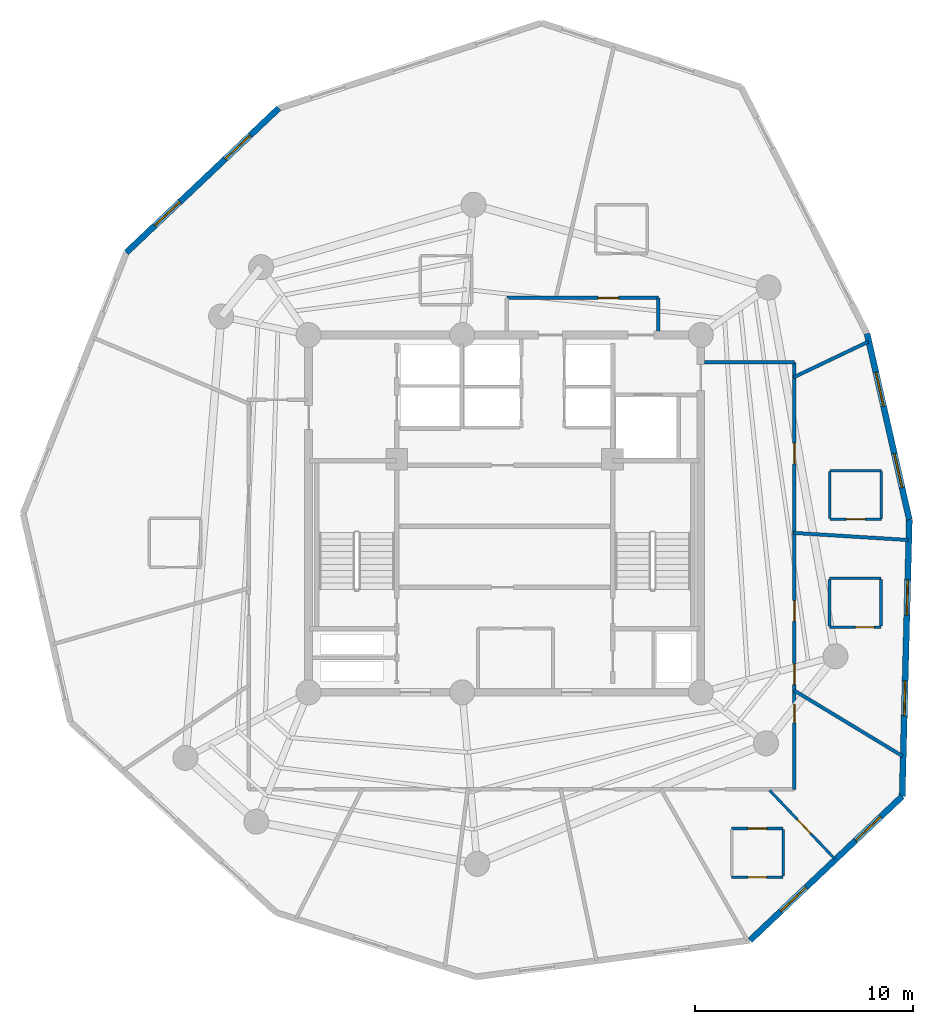
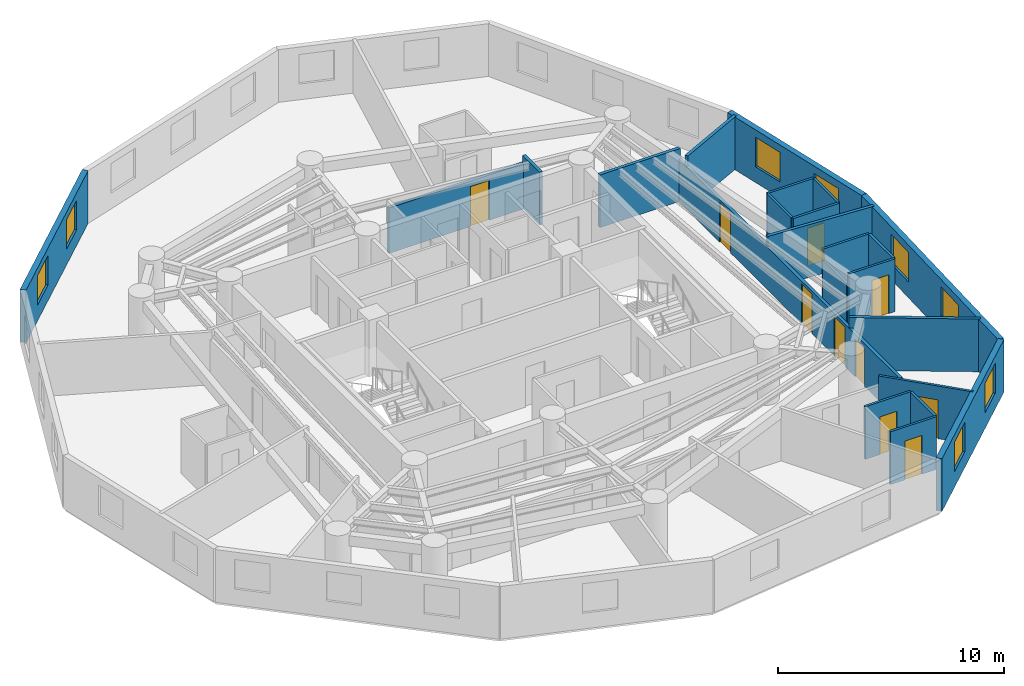
# One storey, part 5 of 7: 23 walls, 10 doors, 8 windows, 18 openings.
"""IFC4 building model written with IfcOpenShell, lengths in metres."""

from ifc_helpers import new_model, si_unit, direction, frame, frame_2d, origin, origin_with_axes, place, context, subcontext, project, spatial, rectangle, extrude, source, transform, mapped, material, layer, layer_set, type_object, element, fill, save


model = new_model("IFC4")

# Units and contexts
model_context = context("Model", 3, precision=1e-05, world=origin(), true_north=direction((0.0, 1.0)))
body_context = subcontext(model_context, "Body", "Model", "MODEL_VIEW")
ifc_project = project(units=[si_unit("LENGTHUNIT", "METRE"), si_unit("AREAUNIT", "SQUARE_METRE"), si_unit("VOLUMEUNIT", "CUBIC_METRE"), si_unit("PLANEANGLEUNIT", "RADIAN"), si_unit("MASSUNIT", "GRAM", prefix="KILO")], contexts=[model_context])

# Site, building, storey
site_placement = place(None, origin())
site = spatial("IfcSite", under=ifc_project, at=site_placement, CompositionType="ELEMENT")
building_placement = place(site_placement, origin())
building = spatial("IfcBuilding", under=site, at=building_placement, Name="Karkom Vertical University and Central Library", CompositionType="ELEMENT")
storey_placement = place(building_placement, frame((0.0, 0.0, 219.949951171875)))
storey = spatial("IfcBuildingStorey", under=building, at=storey_placement, Name="L64", CompositionType="ELEMENT", Elevation=219.949951171875)

# Wall, openings, windows
ifc_material_1 = material(Name="Brick-faced precast concrete C45/55", Category="masonry")
ifc_layer_1 = layer(ifc_material_1, 0.280029296875)
ifc_layer_set_1 = layer_set([ifc_layer_1], Name="Brick-faced precast concrete C45/55")
wall_type_1 = type_object("IfcWallType", Name="ENV-WL-BRK-280", PredefinedType="SOLIDWALL", material=ifc_layer_set_1)
wall_1_placement = place(storey_placement, frame((39.7578125, 6.91796875, 0.0), z_axis=(0.0, 0.0, 1.0), x_axis=(0.726306750321, 0.687370718345, 0.0)))
wall_1 = element("IfcWall", 1, at=wall_1_placement, inside=storey, type_object=wall_type_1, Name="Level 64 Brick-Faced Precast Facade Wall 05", PredefinedType="SOLIDWALL", context=body_context, shape_type="SweptSolid", body=[
    extrude(rectangle(XDim=9.61865234375, YDim=0.280029296875, at=frame_2d((4.809326171875, 0.0))), origin(), (0.0, 0.0, 1.0), 2.85009765625),
])
opening_1_placement = place(wall_1_placement, frame((1.939208984375, 0.0, 0.85009765625)))
opening_1 = element("IfcOpeningElement", 2, at=opening_1_placement, cuts=wall_1, Name="Opening WN-10", PredefinedType="OPENING", context=body_context, shape_type="SweptSolid", body=[
    extrude(rectangle(XDim=1.60009765625, YDim=1.60009765625, at=frame_2d((0.800048828125, 0.800048828125))), frame((0.0, 0.14990234375, 0.0), z_axis=(0.0, -1.0, 0.0), x_axis=(1.0, 0.0, 0.0)), (0.0, 0.0, 1.0), 0.300048828125),
])
opening_2_placement = place(wall_1_placement, frame((6.668701171875, 0.0, 0.85009765625)))
opening_2 = element("IfcOpeningElement", 3, at=opening_2_placement, cuts=wall_1, Name="Opening WN-10", PredefinedType="OPENING", context=body_context, shape_type="SweptSolid", body=[
    extrude(rectangle(XDim=1.60009765625, YDim=1.60009765625, at=frame_2d((0.800048828125, 0.800048828125))), frame((0.0, 0.14990234375, 0.0), z_axis=(0.0, -1.0, 0.0), x_axis=(1.0, 0.0, 0.0)), (0.0, 0.0, 1.0), 0.300048828125),
])
ifc_material_2 = material(Name="Aluminium thermal-break frame with solar-control IGU", Category="aluminium")
window_type = type_object("IfcWindowType", Name="ENV-WIN-WN-10", PartitioningType="SINGLE_PANEL", PredefinedType="WINDOW", material=ifc_material_2)
shared_shape_1 = source(origin_with_axes(), body_context, "Body", "SweptSolid", [
    extrude(rectangle(XDim=1.60009765625, YDim=1.60009765625, at=frame_2d((0.800048828125, 0.800048828125))), frame((0.0, 0.030029296875, 0.0), z_axis=(0.0, -1.0, 0.0), x_axis=(1.0, 0.0, 0.0)), (0.0, 0.0, 1.0), 0.06005859375),
])
window_1_placement = place(opening_1_placement, origin())
window_1 = element("IfcWindow", 4, at=window_1_placement, inside=storey, type_object=window_type, Name="Level 64 Punched Window 5.1", OverallHeight=1.60009765625, OverallWidth=1.60009765625, PartitioningType="SINGLE_PANEL", PredefinedType="WINDOW", context=body_context, shape_type="MappedRepresentation", body=[
    mapped(shared_shape_1, transform((0.0, 0.0, 0.0), scale=1.0)),
])
fill(opening_1, window_1)
window_2_placement = place(opening_2_placement, origin())
window_2 = element("IfcWindow", 5, at=window_2_placement, inside=storey, type_object=window_type, Name="Level 64 Punched Window 5.2", OverallHeight=1.60009765625, OverallWidth=1.60009765625, PartitioningType="SINGLE_PANEL", PredefinedType="WINDOW", context=body_context, shape_type="MappedRepresentation", body=[
    mapped(shared_shape_1, transform((0.0, 0.0, 0.0), scale=1.0)),
])
fill(opening_2, window_2)

wall_2_placement = place(storey_placement, frame((46.743896484375, 13.529541015625, 0.0), z_axis=(0.0, 0.0, 1.0), x_axis=(0.025686260169, 0.999670053587, 0.0)))
wall_2 = element("IfcWall", 6, at=wall_2_placement, inside=storey, type_object=wall_type_1, Name="Level 64 Brick-Faced Precast Facade Wall 06", PredefinedType="SOLIDWALL", context=body_context, shape_type="SweptSolid", body=[
    extrude(rectangle(XDim=12.707763671875, YDim=0.280029296875, at=frame_2d((6.35400390625, 0.0))), origin(), (0.0, 0.0, 1.0), 2.85009765625),
])
opening_3_placement = place(wall_2_placement, frame((3.700439453125, 0.0, 0.85009765625)))
opening_3 = element("IfcOpeningElement", 7, at=opening_3_placement, cuts=wall_2, Name="Opening WN-10", PredefinedType="OPENING", context=body_context, shape_type="SweptSolid", body=[
    extrude(rectangle(XDim=1.60009765625, YDim=1.60009765625, at=frame_2d((0.800048828125, 0.800048828125))), frame((0.0, 0.14990234375, 0.0), z_axis=(0.0, -1.0, 0.0), x_axis=(1.0, 0.0, 0.0)), (0.0, 0.0, 1.0), 0.300048828125),
])
opening_4_placement = place(wall_2_placement, frame((8.33203125, 0.0, 0.85009765625)))
opening_4 = element("IfcOpeningElement", 8, at=opening_4_placement, cuts=wall_2, Name="Opening WN-10", PredefinedType="OPENING", context=body_context, shape_type="SweptSolid", body=[
    extrude(rectangle(XDim=1.60009765625, YDim=1.60009765625, at=frame_2d((0.800048828125, 0.800048828125))), frame((0.0, 0.14990234375, 0.0), z_axis=(0.0, -1.0, 0.0), x_axis=(1.0, 0.0, 0.0)), (0.0, 0.0, 1.0), 0.300048828125),
])
window_3_placement = place(opening_3_placement, origin())
window_3 = element("IfcWindow", 9, at=window_3_placement, inside=storey, type_object=window_type, Name="Level 64 Punched Window 6.1", OverallHeight=1.60009765625, OverallWidth=1.60009765625, PartitioningType="SINGLE_PANEL", PredefinedType="WINDOW", context=body_context, shape_type="MappedRepresentation", body=[
    mapped(shared_shape_1, transform((0.0, 0.0, 0.0), scale=1.0)),
])
fill(opening_3, window_3)
window_4_placement = place(opening_4_placement, origin())
window_4 = element("IfcWindow", 10, at=window_4_placement, inside=storey, type_object=window_type, Name="Level 64 Punched Window 6.2", OverallHeight=1.60009765625, OverallWidth=1.60009765625, PartitioningType="SINGLE_PANEL", PredefinedType="WINDOW", context=body_context, shape_type="MappedRepresentation", body=[
    mapped(shared_shape_1, transform((0.0, 0.0, 0.0), scale=1.0)),
])
fill(opening_4, window_4)

wall_3_placement = place(storey_placement, frame((47.0703125, 26.233154296875, 0.0), z_axis=(0.0, 0.0, 1.0), x_axis=(-0.221540292546, 0.975151218416, 0.0)))
wall_3 = element("IfcWall", 11, at=wall_3_placement, inside=storey, type_object=wall_type_1, Name="Level 64 Brick-Faced Precast Facade Wall 07", PredefinedType="SOLIDWALL", context=body_context, shape_type="SweptSolid", body=[
    extrude(rectangle(XDim=8.748779296875, YDim=0.280029296875, at=frame_2d((4.37451171875, 0.0))), origin(), (0.0, 0.0, 1.0), 2.85009765625),
])
opening_5_placement = place(wall_3_placement, frame((1.49658203125, 0.0, 0.85009765625)))
opening_5 = element("IfcOpeningElement", 12, at=opening_5_placement, cuts=wall_3, Name="Opening WN-10", PredefinedType="OPENING", context=body_context, shape_type="SweptSolid", body=[
    extrude(rectangle(XDim=1.60009765625, YDim=1.60009765625, at=frame_2d((0.800048828125, 0.800048828125))), frame((0.0, 0.14990234375, 0.0), z_axis=(0.0, -1.0, 0.0), x_axis=(1.0, 0.0, 0.0)), (0.0, 0.0, 1.0), 0.300048828125),
])
opening_6_placement = place(wall_3_placement, frame((5.330078125, 0.0, 0.85009765625)))
opening_6 = element("IfcOpeningElement", 13, at=opening_6_placement, cuts=wall_3, Name="Opening WN-10", PredefinedType="OPENING", context=body_context, shape_type="SweptSolid", body=[
    extrude(rectangle(XDim=1.60009765625, YDim=1.60009765625, at=frame_2d((0.800048828125, 0.800048828125))), frame((0.0, 0.14990234375, 0.0), z_axis=(0.0, -1.0, 0.0), x_axis=(1.0, 0.0, 0.0)), (0.0, 0.0, 1.0), 0.300048828125),
])
window_5_placement = place(opening_5_placement, origin())
window_5 = element("IfcWindow", 14, at=window_5_placement, inside=storey, type_object=window_type, Name="Level 64 Punched Window 7.1", OverallHeight=1.60009765625, OverallWidth=1.60009765625, PartitioningType="SINGLE_PANEL", PredefinedType="WINDOW", context=body_context, shape_type="MappedRepresentation", body=[
    mapped(shared_shape_1, transform((0.0, 0.0, 0.0), scale=1.0)),
])
fill(opening_5, window_5)
window_6_placement = place(opening_6_placement, origin())
window_6 = element("IfcWindow", 15, at=window_6_placement, inside=storey, type_object=window_type, Name="Level 64 Punched Window 7.2", OverallHeight=1.60009765625, OverallWidth=1.60009765625, PartitioningType="SINGLE_PANEL", PredefinedType="WINDOW", context=body_context, shape_type="MappedRepresentation", body=[
    mapped(shared_shape_1, transform((0.0, 0.0, 0.0), scale=1.0)),
])
fill(opening_6, window_6)

wall_4_placement = place(storey_placement, frame((18.136962890625, 45.110107421875, 0.0), z_axis=(0.0, 0.0, 1.0), x_axis=(-0.726302657203, -0.687375043292, 0.0)))
wall_4 = element("IfcWall", 16, at=wall_4_placement, inside=storey, type_object=wall_type_1, Name="Level 64 Brick-Faced Precast Facade Wall 11", PredefinedType="SOLIDWALL", context=body_context, shape_type="SweptSolid", body=[
    extrude(rectangle(XDim=9.6396484375, YDim=0.280029296875, at=frame_2d((4.81982421875, 0.0))), origin(), (0.0, 0.0, 1.0), 2.85009765625),
])
opening_7_placement = place(wall_4_placement, frame((1.7998046875, 0.0, 0.85009765625)))
opening_7 = element("IfcOpeningElement", 17, at=opening_7_placement, cuts=wall_4, Name="Opening WN-10", PredefinedType="OPENING", context=body_context, shape_type="SweptSolid", body=[
    extrude(rectangle(XDim=1.60009765625, YDim=1.60009765625, at=frame_2d((0.800048828125, 0.800048828125))), frame((0.0, 0.14990234375, 0.0), z_axis=(0.0, -1.0, 0.0), x_axis=(1.0, 0.0, 0.0)), (0.0, 0.0, 1.0), 0.300048828125),
])
opening_8_placement = place(wall_4_placement, frame((6.23974609375, 0.0, 0.85009765625)))
opening_8 = element("IfcOpeningElement", 18, at=opening_8_placement, cuts=wall_4, Name="Opening WN-10", PredefinedType="OPENING", context=body_context, shape_type="SweptSolid", body=[
    extrude(rectangle(XDim=1.60009765625, YDim=1.60009765625, at=frame_2d((0.800048828125, 0.800048828125))), frame((0.0, 0.14990234375, 0.0), z_axis=(0.0, -1.0, 0.0), x_axis=(1.0, 0.0, 0.0)), (0.0, 0.0, 1.0), 0.300048828125),
])
window_7_placement = place(opening_7_placement, origin())
window_7 = element("IfcWindow", 19, at=window_7_placement, inside=storey, type_object=window_type, Name="Level 64 Punched Window 11.1", OverallHeight=1.60009765625, OverallWidth=1.60009765625, PartitioningType="SINGLE_PANEL", PredefinedType="WINDOW", context=body_context, shape_type="MappedRepresentation", body=[
    mapped(shared_shape_1, transform((0.0, 0.0, 0.0), scale=1.0)),
])
fill(opening_7, window_7)
window_8_placement = place(opening_8_placement, origin())
window_8 = element("IfcWindow", 20, at=window_8_placement, inside=storey, type_object=window_type, Name="Level 64 Punched Window 11.2", OverallHeight=1.60009765625, OverallWidth=1.60009765625, PartitioningType="SINGLE_PANEL", PredefinedType="WINDOW", context=body_context, shape_type="MappedRepresentation", body=[
    mapped(shared_shape_1, transform((0.0, 0.0, 0.0), scale=1.0)),
])
fill(opening_8, window_8)

# Wall, openings, doors
ifc_material_3 = material(Name="Insulated metal-stud drywall 160mm", Category="gypsum")
ifc_layer_2 = layer(ifc_material_3, 0.159912109375)
ifc_layer_set_2 = layer_set([ifc_layer_2], Name="Insulated metal-stud drywall 160mm")
wall_type_2 = type_object("IfcWallType", Name="INT-WL-COR-160", PredefinedType="PARTITIONING", material=ifc_layer_set_2)
wall_5_placement = place(storey_placement, frame((41.800048828125, 33.449951171875, 0.0), z_axis=(0.0, 0.0, 1.0), x_axis=(0.0, -1.0, 0.0)))
wall_5 = element("IfcWall", 21, at=wall_5_placement, inside=storey, type_object=wall_type_2, Name="Level 64 Interior Partition Wall L64-CORW-CW-005", PredefinedType="PARTITIONING", context=body_context, shape_type="SweptSolid", body=[
    extrude(rectangle(XDim=19.599853515625, YDim=0.159912109375, at=frame_2d((9.7998046875, 0.0))), origin(), (0.0, 0.0, 1.0), 2.300048828125),
])
opening_9_placement = place(wall_5_placement, frame((13.8349609375, 0.0, 0.0)))
opening_9 = element("IfcOpeningElement", 22, at=opening_9_placement, cuts=wall_5, Name="Opening FD-RM2", PredefinedType="OPENING", context=body_context, shape_type="SweptSolid", body=[
    extrude(rectangle(XDim=0.9599609375, YDim=2.14990234375, at=frame_2d((0.47998046875, 1.074951171875))), frame((0.0, 0.08984375, 0.0), z_axis=(0.0, -1.0, 0.0), x_axis=(1.0, 0.0, 0.0)), (0.0, 0.0, 1.0), 0.179931640625),
])
opening_10_placement = place(wall_5_placement, frame((10.93408203125, 0.0, 0.0)))
opening_10 = element("IfcOpeningElement", 23, at=opening_10_placement, cuts=wall_5, Name="Opening FD-RM2", PredefinedType="OPENING", context=body_context, shape_type="SweptSolid", body=[
    extrude(rectangle(XDim=0.9599609375, YDim=2.14990234375, at=frame_2d((0.47998046875, 1.074951171875))), frame((0.0, 0.08984375, 0.0), z_axis=(0.0, -1.0, 0.0), x_axis=(1.0, 0.0, 0.0)), (0.0, 0.0, 1.0), 0.179931640625),
])
opening_11_placement = place(wall_5_placement, frame((3.701416015625, 0.0, 0.0)))
opening_11 = element("IfcOpeningElement", 24, at=opening_11_placement, cuts=wall_5, Name="Opening FD-RM2", PredefinedType="OPENING", context=body_context, shape_type="SweptSolid", body=[
    extrude(rectangle(XDim=0.9599609375, YDim=2.14990234375, at=frame_2d((0.47998046875, 1.074951171875))), frame((0.0, 0.08984375, 0.0), z_axis=(0.0, -1.0, 0.0), x_axis=(1.0, 0.0, 0.0)), (0.0, 0.0, 1.0), 0.179931640625),
])
opening_12_placement = place(wall_5_placement, frame((15.685302734375, 0.0, 0.0)))
opening_12 = element("IfcOpeningElement", 25, at=opening_12_placement, cuts=wall_5, Name="Opening FD-BTH2", PredefinedType="OPENING", context=body_context, shape_type="SweptSolid", body=[
    extrude(rectangle(XDim=0.860107421875, YDim=2.0400390625, at=frame_2d((0.43017578125, 1.02001953125))), frame((0.0, 0.08984375, 0.0), z_axis=(0.0, -1.0, 0.0), x_axis=(1.0, 0.0, 0.0)), (0.0, 0.0, 1.0), 0.179931640625),
])
ifc_material_4 = material(Name="Fire-rated oak veneer door", Category="wood")
door_type_1 = type_object("IfcDoorType", Name="INT-DR-FRM2", OperationType="NOTDEFINED", PredefinedType="DOOR", material=ifc_material_4)
shared_shape_2 = source(origin_with_axes(), body_context, "Body", "SweptSolid", [
    extrude(rectangle(XDim=0.9599609375, YDim=2.14990234375, at=frame_2d((0.47998046875, 1.074951171875))), frame((0.0, 0.02490234375, 0.0), z_axis=(0.0, -1.0, 0.0), x_axis=(1.0, 0.0, 0.0)), (0.0, 0.0, 1.0), 0.050048828125),
])
door_1_placement = place(opening_9_placement, origin())
door_1 = element("IfcDoor", 26, at=door_1_placement, inside=storey, type_object=door_type_1, Name="Level 64 Room Entry Door 410", OperationType="SINGLE_SWING_RIGHT", OverallHeight=2.14990234375, OverallWidth=0.9599609375, PredefinedType="DOOR", context=body_context, shape_type="MappedRepresentation", body=[
    mapped(shared_shape_2, transform((0.0, 0.0, 0.0), scale=1.0)),
])
fill(opening_9, door_1)
door_2_placement = place(opening_10_placement, origin())
door_2 = element("IfcDoor", 27, at=door_2_placement, inside=storey, type_object=door_type_1, Name="Level 64 Room Entry Door 412", OperationType="SINGLE_SWING_RIGHT", OverallHeight=2.14990234375, OverallWidth=0.9599609375, PredefinedType="DOOR", context=body_context, shape_type="MappedRepresentation", body=[
    mapped(shared_shape_2, transform((0.0, 0.0, 0.0), scale=1.0)),
])
fill(opening_10, door_2)
door_3_placement = place(opening_11_placement, origin())
door_3 = element("IfcDoor", 28, at=door_3_placement, inside=storey, type_object=door_type_1, Name="Level 64 Room Entry Door 414", OperationType="SINGLE_SWING_RIGHT", OverallHeight=2.14990234375, OverallWidth=0.9599609375, PredefinedType="DOOR", context=body_context, shape_type="MappedRepresentation", body=[
    mapped(shared_shape_2, transform((0.0, 0.0, 0.0), scale=1.0)),
])
fill(opening_11, door_3)
ifc_material_5 = material(Name="Fire-rated moisture-resistant oak door", Category="wood")
door_type_2 = type_object("IfcDoorType", Name="INT-DR-FBTH2", OperationType="NOTDEFINED", PredefinedType="DOOR", material=ifc_material_5)
shared_shape_3 = source(origin_with_axes(), body_context, "Body", "SweptSolid", [
    extrude(rectangle(XDim=0.860107421875, YDim=2.0400390625, at=frame_2d((0.43017578125, 1.02001953125))), frame((0.0, 0.02490234375, 0.0), z_axis=(0.0, -1.0, 0.0), x_axis=(1.0, 0.0, 0.0)), (0.0, 0.0, 1.0), 0.050048828125),
])
door_4_placement = place(opening_12_placement, origin())
door_4 = element("IfcDoor", 29, at=door_4_placement, inside=storey, type_object=door_type_2, Name="Level 64 Flat L64-06 One-Bedroom Flat Kitchen Entry Door", OperationType="SINGLE_SWING_LEFT", OverallHeight=2.0400390625, OverallWidth=0.860107421875, PredefinedType="DOOR", context=body_context, shape_type="MappedRepresentation", body=[
    mapped(shared_shape_3, transform((0.0, 0.0, 0.0), scale=1.0)),
])
fill(opening_12, door_4)

# Wall, opening, door
wall_6_placement = place(storey_placement, frame((28.60009765625, 36.39990234375, 0.0), z_axis=(0.0, 0.0, 1.0), x_axis=(1.0, 0.0, 0.0)))
wall_6 = element("IfcWall", 30, at=wall_6_placement, inside=storey, type_object=wall_type_2, Name="Level 64 Interior Partition Wall L64-CORW-CW-007", PredefinedType="PARTITIONING", context=body_context, shape_type="SweptSolid", body=[
    extrude(rectangle(XDim=6.949951171875, YDim=0.159912109375, at=frame_2d((3.47509765625, 0.0))), origin(), (0.0, 0.0, 1.0), 2.449951171875),
])
opening_13_placement = place(wall_6_placement, frame((4.1728515625, 0.0, 0.0)))
opening_13 = element("IfcOpeningElement", 31, at=opening_13_placement, cuts=wall_6, Name="Opening FD-RM2", PredefinedType="OPENING", context=body_context, shape_type="SweptSolid", body=[
    extrude(rectangle(XDim=0.9599609375, YDim=2.14990234375, at=frame_2d((0.47998046875, 1.074951171875))), frame((0.0, 0.08984375, 0.0), z_axis=(0.0, -1.0, 0.0), x_axis=(1.0, 0.0, 0.0)), (0.0, 0.0, 1.0), 0.179931640625),
])
door_5_placement = place(opening_13_placement, origin())
door_5 = element("IfcDoor", 32, at=door_5_placement, inside=storey, type_object=door_type_1, Name="Level 64 Room Entry Door 416", OperationType="SINGLE_SWING_RIGHT", OverallHeight=2.14990234375, OverallWidth=0.9599609375, PredefinedType="DOOR", context=body_context, shape_type="MappedRepresentation", body=[
    mapped(shared_shape_2, transform((0.0, 0.0, 0.0), scale=1.0)),
])
fill(opening_13, door_5)

# Walls
wall_7_placement = place(storey_placement, frame((41.7744140625, 18.39404296875, 0.0), z_axis=(0.0, 0.0, 1.0), x_axis=(0.855456106039, -0.517875323453, 0.0)))
element("IfcWall", 33, at=wall_7_placement, inside=storey, type_object=wall_type_2, Name="Level 64 Interior Partition Wall L64-PW-007", PredefinedType="PARTITIONING", context=body_context, shape_type="SweptSolid", body=[
    extrude(rectangle(XDim=5.825439453125, YDim=0.159912109375, at=frame_2d((2.91259765625, 0.0))), origin(), (0.0, 0.0, 1.0), 2.85009765625),
])
wall_8_placement = place(storey_placement, frame((41.755126953125, 25.618896484375, 0.0), z_axis=(0.0, 0.0, 1.0), x_axis=(0.998090381623, -0.061770463097, 0.0)))
element("IfcWall", 34, at=wall_8_placement, inside=storey, type_object=wall_type_2, Name="Level 64 Interior Partition Wall L64-PW-008", PredefinedType="PARTITIONING", context=body_context, shape_type="SweptSolid", body=[
    extrude(rectangle(XDim=5.2763671875, YDim=0.159912109375, at=frame_2d((2.63818359375, 0.0))), origin(), (0.0, 0.0, 1.0), 2.85009765625),
])
wall_9_placement = place(storey_placement, frame((37.681884765625, 33.449951171875, 0.0), z_axis=(0.0, 0.0, 1.0), x_axis=(1.0, 0.0, 0.0)))
element("IfcWall", 35, at=wall_9_placement, inside=storey, type_object=wall_type_2, Name="Level 64 Interior Partition Wall L64-CORW-CW-004", PredefinedType="PARTITIONING", context=body_context, shape_type="SweptSolid", body=[
    extrude(rectangle(XDim=4.1181640625, YDim=0.159912109375, at=frame_2d((2.05908203125, 0.0))), origin(), (0.0, 0.0, 1.0), 2.85009765625),
])
wall_10_placement = place(storey_placement, frame((41.759521484375, 32.7578125, 0.0), z_axis=(0.0, 0.0, 1.0), x_axis=(0.902574106557, 0.430534530755, 0.0)))
element("IfcWall", 36, at=wall_10_placement, inside=storey, type_object=wall_type_2, Name="Level 64 Interior Partition Wall L64-PW-009", PredefinedType="PARTITIONING", context=body_context, shape_type="SweptSolid", body=[
    extrude(rectangle(XDim=3.7998046875, YDim=0.159912109375, at=frame_2d((1.89990234375, 0.0))), origin(), (0.0, 0.0, 1.0), 2.85009765625),
])
wall_11_placement = place(storey_placement, frame((35.550048828125, 36.39990234375, 0.0), z_axis=(0.0, 0.0, 1.0), x_axis=(0.0, -1.0, 0.0)))
element("IfcWall", 37, at=wall_11_placement, inside=storey, type_object=wall_type_2, Name="Level 64 Interior Partition Wall L64-CORW-CW-008", PredefinedType="PARTITIONING", context=body_context, shape_type="SweptSolid", body=[
    extrude(rectangle(XDim=1.517822265625, YDim=0.159912109375, at=frame_2d((0.7587890625, 0.0))), origin(), (0.0, 0.0, 1.0), 2.85009765625),
])

# Wall, opening, door
ifc_material_6 = material(Name="Moisture-resistant drywall 120mm", Category="gypsum")
ifc_layer_3 = layer(ifc_material_6, 0.1201171875)
ifc_layer_set_3 = layer_set([ifc_layer_3], Name="Moisture-resistant drywall 120mm")
wall_type_3 = type_object("IfcWallType", Name="INT-WL-INT-120", PredefinedType="PARTITIONING", material=ifc_layer_set_3)
wall_12_placement = place(storey_placement, frame((43.66162109375, 10.64697265625, 0.0), z_axis=(0.0, 0.0, 1.0), x_axis=(-0.689200128432, 0.724571033763, 0.0)))
wall_12 = element("IfcWall", 38, at=wall_12_placement, inside=storey, type_object=wall_type_3, Name="Level 64 Interior Partition Wall L64-APT-06-DIV", PredefinedType="PARTITIONING", context=body_context, shape_type="SweptSolid", body=[
    extrude(rectangle(XDim=4.35546875, YDim=0.1201171875, at=frame_2d((2.177734375, 0.0))), origin(), (0.0, 0.0, 1.0), 2.85009765625),
])
opening_14_placement = place(wall_12_placement, frame((1.612548828125, 0.0, 0.0)))
opening_14 = element("IfcOpeningElement", 39, at=opening_14_placement, cuts=wall_12, Name="Opening D-INT1", PredefinedType="OPENING", context=body_context, shape_type="SweptSolid", body=[
    extrude(rectangle(XDim=0.89990234375, YDim=2.10009765625, at=frame_2d((0.449951171875, 1.050048828125))), frame((0.0, 0.070068359375, 0.0), z_axis=(0.0, -1.0, 0.0), x_axis=(1.0, 0.0, 0.0)), (0.0, 0.0, 1.0), 0.14013671875),
])
ifc_material_7 = material(Name="Painted solid-core timber door", Category="wood")
door_type_3 = type_object("IfcDoorType", Name="INT-DR-INT1", OperationType="NOTDEFINED", PredefinedType="DOOR", material=ifc_material_7)
shared_shape_4 = source(origin_with_axes(), body_context, "Body", "SweptSolid", [
    extrude(rectangle(XDim=0.89990234375, YDim=2.10009765625, at=frame_2d((0.449951171875, 1.050048828125))), frame((0.0, 0.02490234375, 0.0), z_axis=(0.0, -1.0, 0.0), x_axis=(1.0, 0.0, 0.0)), (0.0, 0.0, 1.0), 0.050048828125),
])
door_6_placement = place(opening_14_placement, origin())
door_6 = element("IfcDoor", 40, at=door_6_placement, inside=storey, type_object=door_type_3, Name="Level 64 Flat L64-06 Internal Door", OperationType="SINGLE_SWING_LEFT", OverallHeight=2.10009765625, OverallWidth=0.89990234375, PredefinedType="DOOR", context=body_context, shape_type="MappedRepresentation", body=[
    mapped(shared_shape_4, transform((0.0, 0.0, 0.0), scale=1.0)),
])
fill(opening_14, door_6)

ifc_layer_4 = layer(ifc_material_6, 0.1201171875)
ifc_layer_set_4 = layer_set([ifc_layer_4], Name="Moisture-resistant drywall 120mm")
wall_type_4 = type_object("IfcWallType", Name="INT-WL-INT-120F", PredefinedType="PARTITIONING", material=ifc_layer_set_4)
wall_13_placement = place(storey_placement, frame((38.9169921875, 9.81396484375, 0.0), z_axis=(0.0, 0.0, 1.0), x_axis=(1.0, 0.0, 0.0)))
wall_13 = element("IfcWall", 41, at=wall_13_placement, inside=storey, type_object=wall_type_4, Name="Level 64 Interior Partition Wall L64-ENS-45-S", PredefinedType="PARTITIONING", context=body_context, shape_type="SweptSolid", body=[
    extrude(rectangle(XDim=2.360107421875, YDim=0.1201171875, at=frame_2d((1.18017578125, 0.0))), origin(), (0.0, 0.0, 1.0), 2.85009765625),
])
opening_15_placement = place(wall_13_placement, frame((0.75, 0.0, 0.0)))
opening_15 = element("IfcOpeningElement", 42, at=opening_15_placement, cuts=wall_13, Name="Opening D-BATH", PredefinedType="OPENING", context=body_context, shape_type="SweptSolid", body=[
    extrude(rectangle(XDim=0.860107421875, YDim=2.10009765625, at=frame_2d((0.43017578125, 1.050048828125))), frame((0.0, 0.070068359375, 0.0), z_axis=(0.0, -1.0, 0.0), x_axis=(1.0, 0.0, 0.0)), (0.0, 0.0, 1.0), 0.14013671875),
])
ifc_material_8 = material(Name="Moisture-resistant oak door", Category="wood")
door_type_4 = type_object("IfcDoorType", Name="INT-DR-BATH", OperationType="NOTDEFINED", PredefinedType="DOOR", material=ifc_material_8)
shared_shape_5 = source(origin_with_axes(), body_context, "Body", "SweptSolid", [
    extrude(rectangle(XDim=0.860107421875, YDim=2.10009765625, at=frame_2d((0.43017578125, 1.050048828125))), frame((0.0, 0.02490234375, 0.0), z_axis=(0.0, -1.0, 0.0), x_axis=(1.0, 0.0, 0.0)), (0.0, 0.0, 1.0), 0.050048828125),
])
door_7_placement = place(opening_15_placement, origin())
door_7 = element("IfcDoor", 43, at=door_7_placement, inside=storey, type_object=door_type_4, Name="Level 64 En-Suite Bathroom Door 45", OperationType="SINGLE_SWING_RIGHT", OverallHeight=2.10009765625, OverallWidth=0.860107421875, PredefinedType="DOOR", context=body_context, shape_type="MappedRepresentation", body=[
    mapped(shared_shape_5, transform((0.0, 0.0, 0.0), scale=1.0)),
])
fill(opening_15, door_7)

wall_14_placement = place(storey_placement, frame((41.277099609375, 12.053955078125, 0.0), z_axis=(0.0, 0.0, 1.0), x_axis=(-1.0, 0.0, 0.0)))
wall_14 = element("IfcWall", 44, at=wall_14_placement, inside=storey, type_object=wall_type_4, Name="Level 64 Interior Partition Wall L64-ENS-45-N", PredefinedType="PARTITIONING", context=body_context, shape_type="SweptSolid", body=[
    extrude(rectangle(XDim=2.360107421875, YDim=0.1201171875, at=frame_2d((1.18017578125, 0.0))), origin(), (0.0, 0.0, 1.0), 2.85009765625),
])
opening_16_placement = place(wall_14_placement, frame((0.75, 0.0, 0.0)))
opening_16 = element("IfcOpeningElement", 45, at=opening_16_placement, cuts=wall_14, Name="Opening FD-BTH2", PredefinedType="OPENING", context=body_context, shape_type="SweptSolid", body=[
    extrude(rectangle(XDim=0.860107421875, YDim=2.0400390625, at=frame_2d((0.43017578125, 1.02001953125))), frame((0.0, 0.070068359375, 0.0), z_axis=(0.0, -1.0, 0.0), x_axis=(1.0, 0.0, 0.0)), (0.0, 0.0, 1.0), 0.14013671875),
])
door_8_placement = place(opening_16_placement, origin())
door_8 = element("IfcDoor", 46, at=door_8_placement, inside=storey, type_object=door_type_2, Name="Level 64 Flat L64-06 One-Bedroom Apartment Bathroom Entry Door", OperationType="SINGLE_SWING_RIGHT", OverallHeight=2.0400390625, OverallWidth=0.860107421875, PredefinedType="DOOR", context=body_context, shape_type="MappedRepresentation", body=[
    mapped(shared_shape_3, transform((0.0, 0.0, 0.0), scale=1.0)),
])
fill(opening_16, door_8)

wall_15_placement = place(storey_placement, frame((43.408935546875, 21.291015625, 0.0), z_axis=(0.0, 0.0, 1.0), x_axis=(1.0, 0.0, 0.0)))
wall_15 = element("IfcWall", 47, at=wall_15_placement, inside=storey, type_object=wall_type_4, Name="Level 64 Interior Partition Wall L64-ENS-46-S", PredefinedType="PARTITIONING", context=body_context, shape_type="SweptSolid", body=[
    extrude(rectangle(XDim=2.360107421875, YDim=0.1201171875, at=frame_2d((1.18017578125, 0.0))), origin(), (0.0, 0.0, 1.0), 2.85009765625),
])
opening_17_placement = place(wall_15_placement, frame((1.18994140625, 0.0, 0.0)))
opening_17 = element("IfcOpeningElement", 48, at=opening_17_placement, cuts=wall_15, Name="Opening D-BATH", PredefinedType="OPENING", context=body_context, shape_type="SweptSolid", body=[
    extrude(rectangle(XDim=0.860107421875, YDim=2.10009765625, at=frame_2d((0.43017578125, 1.050048828125))), frame((0.0, 0.070068359375, 0.0), z_axis=(0.0, -1.0, 0.0), x_axis=(1.0, 0.0, 0.0)), (0.0, 0.0, 1.0), 0.14013671875),
])
door_9_placement = place(opening_17_placement, origin())
door_9 = element("IfcDoor", 49, at=door_9_placement, inside=storey, type_object=door_type_4, Name="Level 64 En-Suite Bathroom Door 46", OperationType="SINGLE_SWING_LEFT", OverallHeight=2.10009765625, OverallWidth=0.860107421875, PredefinedType="DOOR", context=body_context, shape_type="MappedRepresentation", body=[
    mapped(shared_shape_5, transform((0.0, 0.0, 0.0), scale=1.0)),
])
fill(opening_17, door_9)

# Wall
wall_16_placement = place(storey_placement, frame((45.76904296875, 23.531005859375, 0.0), z_axis=(0.0, 0.0, 1.0), x_axis=(-1.0, 0.0, 0.0)))
element("IfcWall", 50, at=wall_16_placement, inside=storey, type_object=wall_type_4, Name="Level 64 Interior Partition Wall L64-ENS-46-N", PredefinedType="PARTITIONING", context=body_context, shape_type="SweptSolid", body=[
    extrude(rectangle(XDim=2.360107421875, YDim=0.1201171875, at=frame_2d((1.18017578125, 0.0))), origin(), (0.0, 0.0, 1.0), 2.85009765625),
])

# Wall, opening, door
wall_17_placement = place(storey_placement, frame((43.427001953125, 26.237060546875, 0.0), z_axis=(0.0, 0.0, 1.0), x_axis=(1.0, 0.0, 0.0)))
wall_17 = element("IfcWall", 51, at=wall_17_placement, inside=storey, type_object=wall_type_4, Name="Level 64 Interior Partition Wall L64-ENS-47-S", PredefinedType="PARTITIONING", context=body_context, shape_type="SweptSolid", body=[
    extrude(rectangle(XDim=2.360107421875, YDim=0.1201171875, at=frame_2d((1.18017578125, 0.0))), origin(), (0.0, 0.0, 1.0), 2.85009765625),
])
opening_18_placement = place(wall_17_placement, frame((0.75, 0.0, 0.0)))
opening_18 = element("IfcOpeningElement", 52, at=opening_18_placement, cuts=wall_17, Name="Opening D-BTH2", PredefinedType="OPENING", context=body_context, shape_type="SweptSolid", body=[
    extrude(rectangle(XDim=0.860107421875, YDim=2.0400390625, at=frame_2d((0.43017578125, 1.02001953125))), frame((0.0, 0.070068359375, 0.0), z_axis=(0.0, -1.0, 0.0), x_axis=(1.0, 0.0, 0.0)), (0.0, 0.0, 1.0), 0.14013671875),
])
door_type_5 = type_object("IfcDoorType", Name="INT-DR-DBTH2", OperationType="NOTDEFINED", PredefinedType="DOOR", material=ifc_material_8)
door_10_placement = place(opening_18_placement, origin())
door_10 = element("IfcDoor", 53, at=door_10_placement, inside=storey, type_object=door_type_5, Name="Level 64 En-Suite Bathroom Door 47", OperationType="SINGLE_SWING_LEFT", OverallHeight=2.0400390625, OverallWidth=0.860107421875, PredefinedType="DOOR", context=body_context, shape_type="MappedRepresentation", body=[
    mapped(shared_shape_3, transform((0.0, 0.0, 0.0), scale=1.0)),
])
fill(opening_18, door_10)

# Walls
wall_18_placement = place(storey_placement, frame((45.787109375, 28.47705078125, 0.0), z_axis=(0.0, 0.0, 1.0), x_axis=(-1.0, 0.0, 0.0)))
element("IfcWall", 54, at=wall_18_placement, inside=storey, type_object=wall_type_4, Name="Level 64 Interior Partition Wall L64-ENS-47-N", PredefinedType="PARTITIONING", context=body_context, shape_type="SweptSolid", body=[
    extrude(rectangle(XDim=2.360107421875, YDim=0.1201171875, at=frame_2d((1.18017578125, 0.0))), origin(), (0.0, 0.0, 1.0), 2.85009765625),
])
wall_19_placement = place(storey_placement, frame((45.76904296875, 21.341064453125, 0.0), z_axis=(0.0, 0.0, 1.0), x_axis=(0.0, 1.0, 0.0)))
element("IfcWall", 55, at=wall_19_placement, inside=storey, type_object=wall_type_4, Name="Level 64 Interior Partition Wall L64-ENS-46-E", PredefinedType="PARTITIONING", context=body_context, shape_type="SweptSolid", body=[
    extrude(rectangle(XDim=2.139892578125, YDim=0.1201171875, at=frame_2d((1.06982421875, 0.0))), origin(), (0.0, 0.0, 1.0), 2.85009765625),
])
wall_20_placement = place(storey_placement, frame((43.408935546875, 23.48095703125, 0.0), z_axis=(0.0, 0.0, 1.0), x_axis=(0.0, -1.0, 0.0)))
element("IfcWall", 56, at=wall_20_placement, inside=storey, type_object=wall_type_4, Name="Level 64 Interior Partition Wall L64-ENS-46-W", PredefinedType="PARTITIONING", context=body_context, shape_type="SweptSolid", body=[
    extrude(rectangle(XDim=2.139892578125, YDim=0.1201171875, at=frame_2d((1.06982421875, 0.0))), origin(), (0.0, 0.0, 1.0), 2.300048828125),
])
for number, where, z_axis, x_axis, name in (
    (57, (45.787109375, 26.287109375, 0.0), (0.0, 0.0, 1.0), (0.0, 1.0, 0.0), "Level 64 Interior Partition Wall L64-ENS-47-E"),
    (58, (43.427001953125, 28.427001953125, 0.0), (0.0, 0.0, 1.0), (0.0, -1.0, 0.0), "Level 64 Interior Partition Wall L64-ENS-47-W"),
    (59, (41.277099609375, 9.864013671875, 0.0), (0.0, 0.0, 1.0), (0.0, 1.0, 0.0), "Level 64 Interior Partition Wall L64-ENS-45-E"),
):
    element("IfcWall", number, at=place(storey_placement, frame(where, z_axis=z_axis, x_axis=x_axis)), inside=storey, type_object=wall_type_4, Name=name, PredefinedType="PARTITIONING", context=body_context, shape_type="SweptSolid", body=[
        extrude(rectangle(XDim=2.139892578125, YDim=0.1201171875, at=frame_2d((1.06982421875, 0.0))), origin(), (0.0, 0.0, 1.0), 2.85009765625),
    ])

save(model, "model.ifc")
